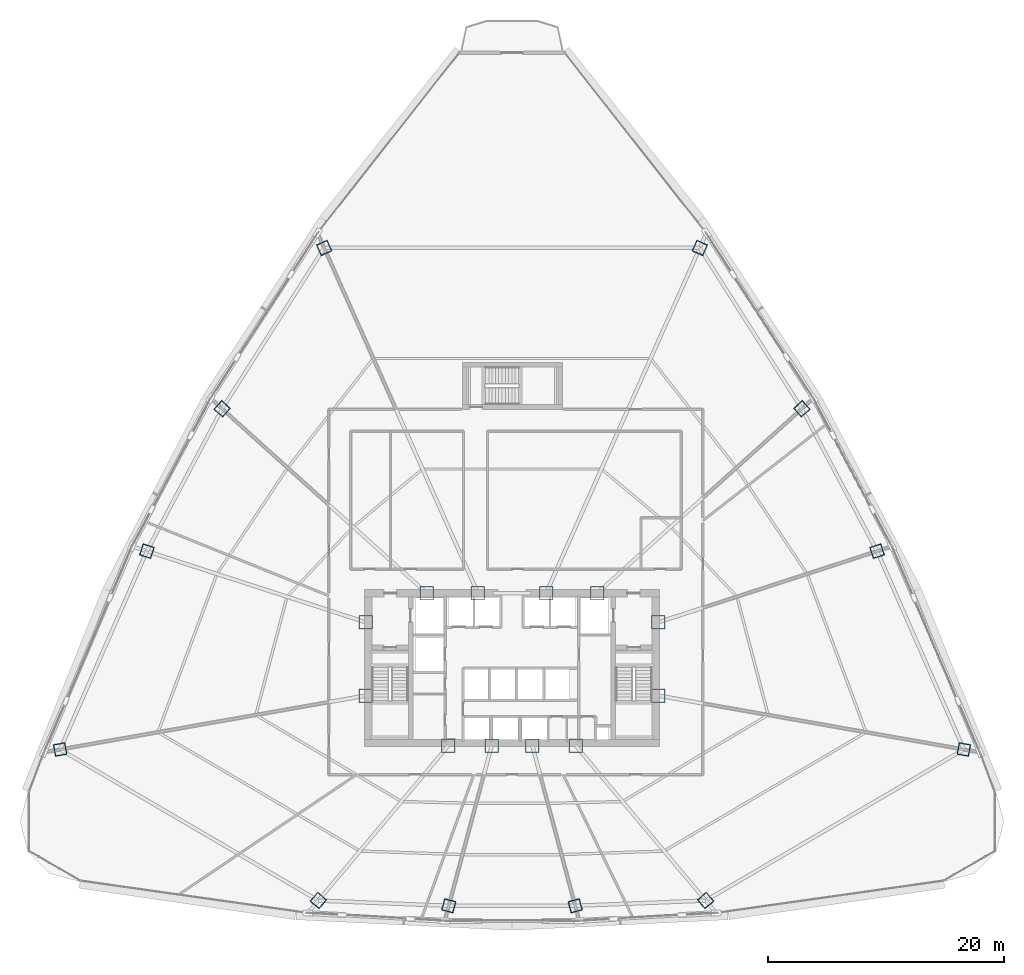
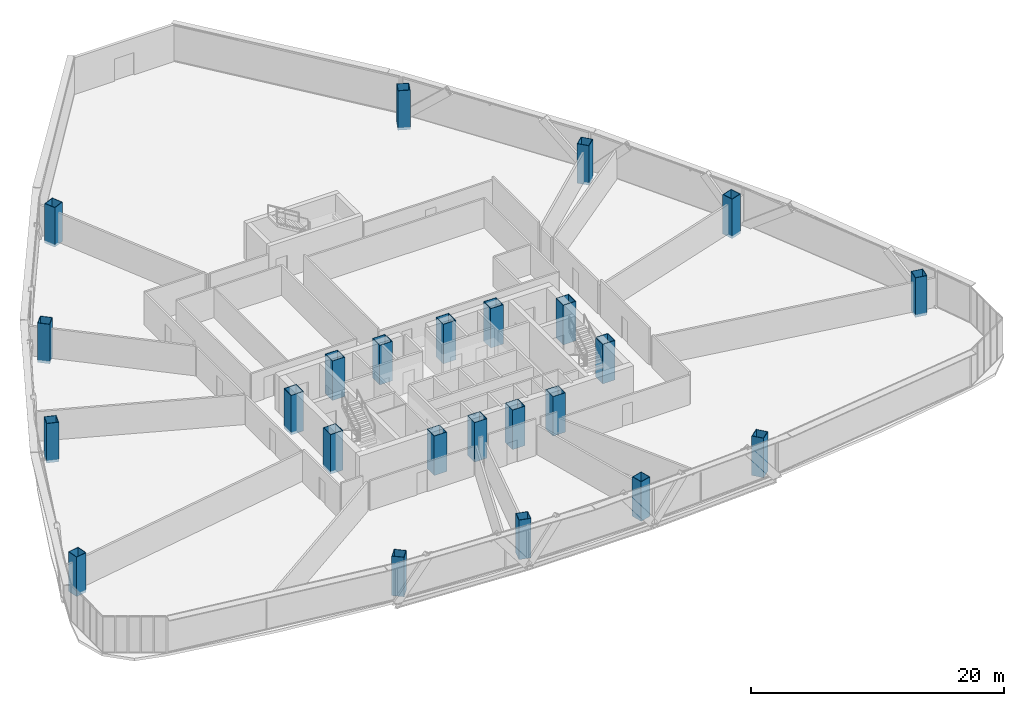
# One storey, part 1 of 41: 24 columns.
"""IFC4 building model written with IfcOpenShell, lengths in metres."""

from ifc_helpers import new_model, si_unit, direction, frame, origin, origin_2d, place, context, subcontext, project, spatial, hollow_rectangle, extrude, source, transform, mapped, material, material_profile, profile_set, type_object, element, save


model = new_model("IFC4")

# Units and contexts
model_context = context("Model", 3, precision=1e-05, world=origin(), true_north=direction((0.0, 1.0)))
body_context = subcontext(model_context, "Body", "Model", "MODEL_VIEW")
ifc_project = project(units=[si_unit("LENGTHUNIT", "METRE"), si_unit("AREAUNIT", "SQUARE_METRE"), si_unit("VOLUMEUNIT", "CUBIC_METRE"), si_unit("PLANEANGLEUNIT", "RADIAN"), si_unit("MASSUNIT", "GRAM", prefix="KILO"), si_unit("THERMODYNAMICTEMPERATUREUNIT", "KELVIN"), si_unit("POWERUNIT", "WATT")], contexts=[model_context])

# Site, building, storey
site_placement = place(None, origin())
site = spatial("IfcSite", under=ifc_project, at=site_placement, CompositionType="ELEMENT")
building_placement = place(site_placement, origin())
building = spatial("IfcBuilding", under=site, at=building_placement, Name="Yunzhuo Pagoda Commons", CompositionType="ELEMENT")
storey_placement = place(building_placement, frame((0.0, 0.0, 111.580078125)))
storey = spatial("IfcBuildingStorey", under=building, at=storey_placement, Name="L28", CompositionType="ELEMENT", Elevation=111.580078125)

# Columns
ifc_material = material(Name="Structural steel Q420B", Category="steel")
ifc_material_profile_1 = material_profile(ifc_material, hollow_rectangle(XDim=1.14990234375, YDim=1.14990234375, WallThickness=0.048095703125, at=origin_2d()), Name="Structural steel Q420B")
ifc_profile_set_1 = profile_set([ifc_material_profile_1], Name="Structural steel Q420B")
column_type_1 = type_object("IfcColumnType", Name="C-COR Column BOX 1150x1150x48", PredefinedType="COLUMN", material=ifc_profile_set_1)
shared_shape_1 = source(origin(), body_context, "Body", "SweptSolid", [
    extrude(hollow_rectangle(XDim=1.14990234375, YDim=1.14990234375, WallThickness=0.048095703125, at=origin_2d()), origin(), (0.0, 0.0, 1.0), 3.800048828125),
])
for number, where, z_axis, x_axis, name in (
    (1, (42.587890625, 27.25, -0.260009765625), (0.0, 0.0, 1.0), (1.0, 0.0, 0.0), "L28 core composite column F1C1"),
    (2, (46.27197265625, 27.25, -0.260009765625), (0.0, 0.0, 1.0), (1.0, 0.0, 0.0), "L28 core composite column F1C2"),
    (3, (49.728515625, 27.25, -0.260009765625), (0.0, 0.0, 1.0), (1.0, 0.0, 0.0), "L28 core composite column F1C3"),
    (4, (53.412109375, 27.25, -0.260009765625), (0.0, 0.0, 1.0), (1.0, 0.0, 0.0), "L28 core composite column F1C4"),
    (5, (60.39990234375, 31.513427734375, -0.260009765625), (0.0, 0.0, 1.0), (1.0, 0.0, 0.0), "L28 core composite column F2C1"),
    (6, (60.39990234375, 37.72900390625, -0.260009765625), (0.0, 0.0, 1.0), (1.0, 0.0, 0.0), "L28 core composite column F2C2"),
    (7, (55.218994140625, 40.199951171875, -0.260009765625), (0.0, 0.0, 1.0), (1.0, 0.0, 0.0), "L28 core composite column F2C3"),
    (8, (50.89404296875, 40.199951171875, -0.260009765625), (0.0, 0.0, 1.0), (1.0, 0.0, 0.0), "L28 core composite column F2C4"),
    (9, (45.10595703125, 40.199951171875, -0.260009765625), (0.0, 0.0, 1.0), (1.0, 0.0, 0.0), "L28 core composite column F3C1"),
    (10, (40.781005859375, 40.199951171875, -0.260009765625), (0.0, 0.0, 1.0), (1.0, 0.0, 0.0), "L28 core composite column F3C2"),
    (11, (35.60009765625, 37.72900390625, -0.260009765625), (0.0, 0.0, 1.0), (1.0, 0.0, 0.0), "L28 core composite column F3C3"),
    (12, (35.60009765625, 31.513427734375, -0.260009765625), (0.0, 0.0, 1.0), (1.0, 0.0, 0.0), "L28 core composite column F3C4"),
):
    element("IfcColumn", number, at=place(storey_placement, frame(where, z_axis=z_axis, x_axis=x_axis)), inside=storey, type_object=column_type_1, Name=name, PredefinedType="COLUMN", context=body_context, shape_type="MappedRepresentation", body=[
        mapped(shared_shape_1, transform((0.0, 0.0, 0.0), scale=1.0)),
    ])
ifc_material_profile_2 = material_profile(ifc_material, hollow_rectangle(XDim=1.0, YDim=1.0, WallThickness=0.0419921875, at=origin_2d()), Name="Structural steel Q420B")
ifc_profile_set_2 = profile_set([ifc_material_profile_2], Name="Structural steel Q420B")
column_type_2 = type_object("IfcColumnType", Name="C-Z2 Column BOX 1000x1000x42", PredefinedType="COLUMN", material=ifc_profile_set_2)
shared_shape_2 = source(origin(), body_context, "Body", "SweptSolid", [
    extrude(hollow_rectangle(XDim=1.0, YDim=1.0, WallThickness=0.0419921875, at=origin_2d()), origin(), (0.0, 0.0, 1.0), 3.800048828125),
])
for number, where, z_axis, x_axis, name in (
    (13, (31.56396484375, 14.1123046875, -0.260009765625), (0.0, 0.0, 1.0), (0.766044443119, -0.642787609687, 0.0), "L28 tower column F1C1"),
    (14, (42.632568359375, 13.66845703125, -0.260009765625), (0.0, 0.0, 1.0), (0.965925826289, -0.258819045103, 0.0), "L28 tower column F1C2"),
    (15, (53.367431640625, 13.66845703125, -0.260009765625), (0.0, 0.0, 1.0), (0.965925826289, 0.258819045103, 0.0), "L28 tower column F1C3"),
    (16, (64.43603515625, 14.1123046875, -0.260009765625), (0.0, 0.0, 1.0), (0.766044443119, 0.642787609687, 0.0), "L28 tower column F1C4"),
    (17, (86.352783203125, 26.9375, -0.260009765625), (0.0, 0.0, 1.0), (0.173648177667, 0.984807753012, 0.0), "L28 tower column F2C1"),
    (18, (78.99072265625, 43.76953125, -0.260009765625), (0.0, 0.0, 1.0), (-0.309016994375, 0.951056516295, 0.0), "L28 tower column F2C2"),
    (19, (72.602783203125, 55.852294921875, -0.260009765625), (0.0, 0.0, 1.0), (-0.669130606359, 0.743144825477, 0.0), "L28 tower column F2C3"),
    (20, (63.94140625, 69.505126953125, -0.260009765625), (0.0, 0.0, 1.0), (-0.913545457643, 0.406736643076, 0.0), "L28 tower column F2C4"),
    (21, (32.05859375, 69.505126953125, -0.260009765625), (0.0, 0.0, 1.0), (-0.913545457643, -0.406736643076, 0.0), "L28 tower column F3C1"),
    (22, (23.397216796875, 55.852294921875, -0.260009765625), (0.0, 0.0, 1.0), (-0.669130606359, -0.743144825477, 0.0), "L28 tower column F3C2"),
    (23, (17.00927734375, 43.76953125, -0.260009765625), (0.0, 0.0, 1.0), (-0.309016994375, -0.951056516295, 0.0), "L28 tower column F3C3"),
    (24, (9.647216796875, 26.9375, -0.260009765625), (0.0, 0.0, 1.0), (0.173648177667, -0.984807753012, 0.0), "L28 tower column F3C4"),
):
    element("IfcColumn", number, at=place(storey_placement, frame(where, z_axis=z_axis, x_axis=x_axis)), inside=storey, type_object=column_type_2, Name=name, PredefinedType="COLUMN", context=body_context, shape_type="MappedRepresentation", body=[
        mapped(shared_shape_2, transform((0.0, 0.0, 0.0), scale=1.0)),
    ])

save(model, "model.ifc")
